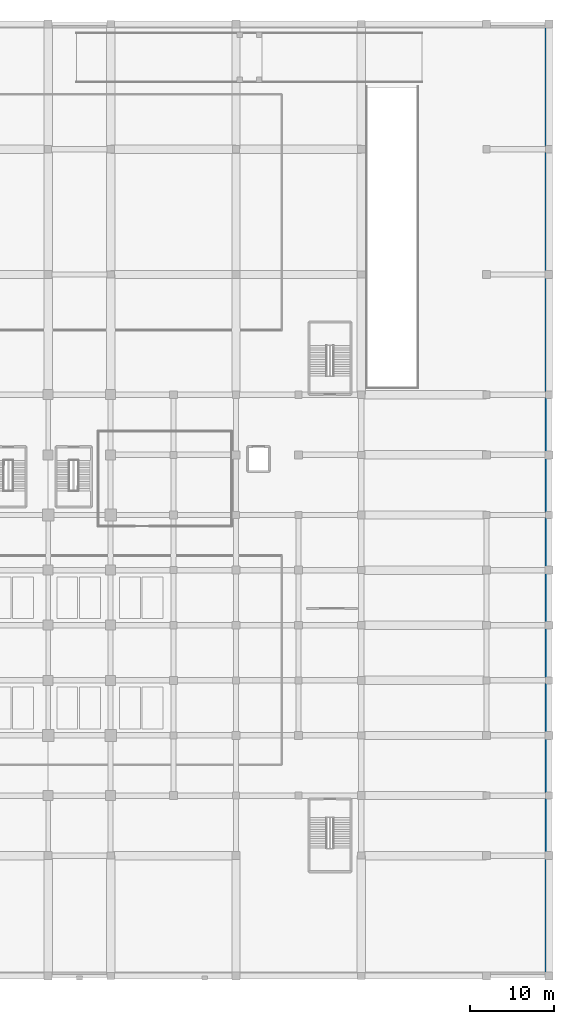
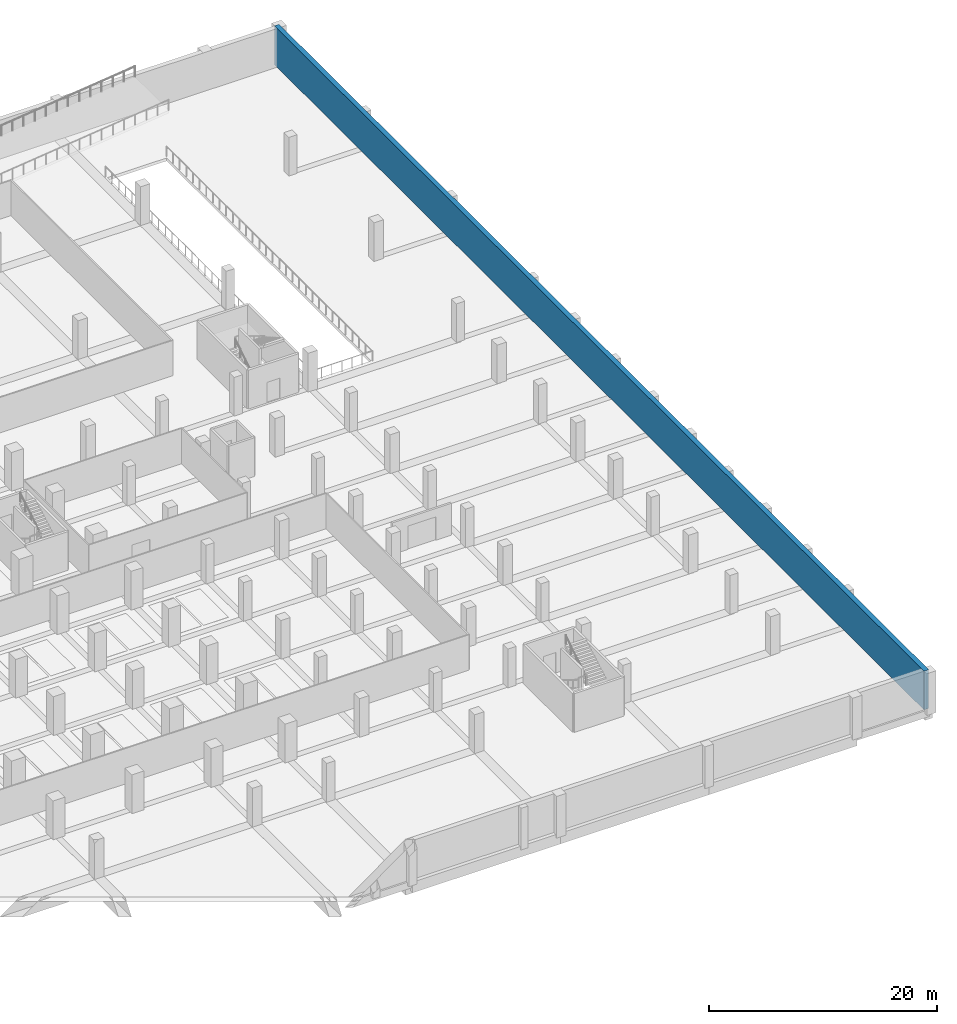
# One storey, part 17 of 25: 1 wall.
"""IFC4 building model written with IfcOpenShell, lengths in metres."""

from ifc_helpers import new_model, si_unit, direction, frame, frame_2d, origin, place, context, subcontext, project, spatial, rectangle, extrude, material, layer, layer_set, type_object, element, save


model = new_model("IFC4")

# Units and contexts
model_context = context("Model", 3, precision=1e-05, world=origin(), true_north=direction((0.0, 1.0)))
body_context = subcontext(model_context, "Body", "Model", "MODEL_VIEW")
ifc_project = project(units=[si_unit("LENGTHUNIT", "METRE"), si_unit("AREAUNIT", "SQUARE_METRE"), si_unit("VOLUMEUNIT", "CUBIC_METRE"), si_unit("PLANEANGLEUNIT", "RADIAN"), si_unit("MASSUNIT", "GRAM", prefix="KILO")], contexts=[model_context])

# Site, building, storey
site_placement = place(None, origin())
site = spatial("IfcSite", under=ifc_project, at=site_placement, CompositionType="ELEMENT")
building_placement = place(site_placement, origin())
building = spatial("IfcBuilding", under=site, at=building_placement, Name="Akrevak Sports Hall", CompositionType="ELEMENT")
storey_placement = place(building_placement, frame((0.0, 0.0, -4.5)))
storey = spatial("IfcBuildingStorey", under=building, at=storey_placement, Name="B01", CompositionType="ELEMENT", Elevation=-4.5)

# Wall
ifc_material = material(Name="Concrete C40/50", Category="concrete")
ifc_layer = layer(ifc_material, 0.47998046875, Name="Concrete C40/50")
ifc_layer_set = layer_set([ifc_layer], Name="Concrete C40/50")
wall_type = type_object("IfcWallType", Name="STR-WL-RET-480", PredefinedType="SOLIDWALL", material=ifc_layer_set)
wall_placement = place(storey_placement, frame((167.760009765625, 0.0, 0.0), z_axis=(0.0, 0.0, 1.0), x_axis=(0.0, 1.0, 0.0)))
element("IfcWall", 1, at=wall_placement, inside=storey, type_object=wall_type, Name="Basement Retaining Wall B01-2", PredefinedType="SOLIDWALL", context=body_context, shape_type="SweptSolid", body=[
    extrude(rectangle(XDim=114.0, YDim=0.47998046875, at=frame_2d((57.0, 0.0))), origin(), (0.0, 0.0, 1.0), 4.14990234375),
])

save(model, "model.ifc")
